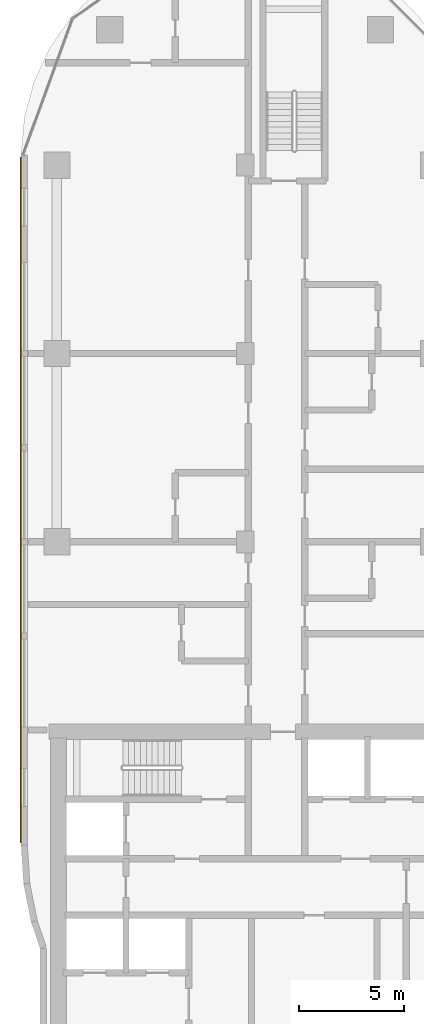
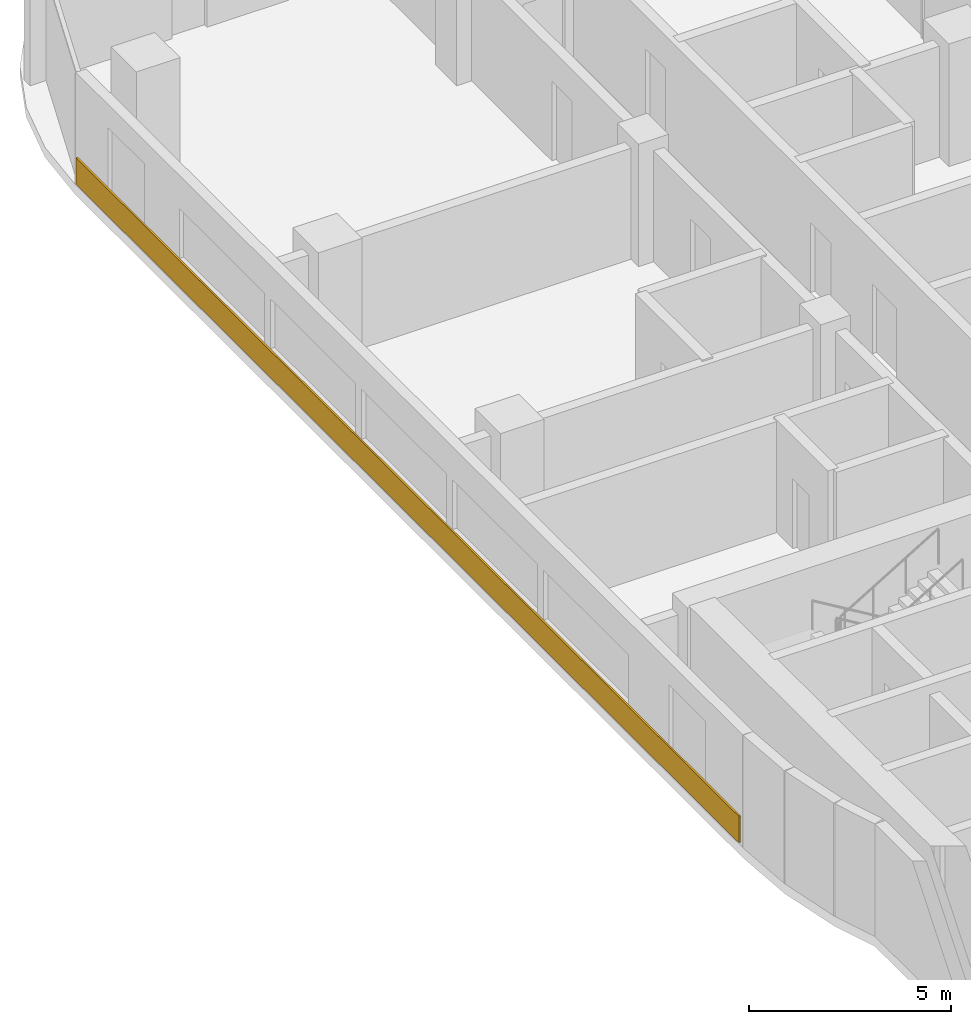
# One storey, part 18 of 22: 1 covering.
"""IFC4 building model written with IfcOpenShell, lengths in metres."""

from ifc_helpers import new_model, si_unit, direction, frame, origin, origin_2d, place, context, subcontext, project, spatial, rectangle, extrude, material, layer, layer_set, type_object, element, save


model = new_model("IFC4")

# Units and contexts
model_context = context("Model", 3, precision=1e-05, world=origin(), true_north=direction((0.0, 1.0)))
body_context = subcontext(model_context, "Body", "Model", "MODEL_VIEW")
ifc_project = project(units=[si_unit("LENGTHUNIT", "METRE"), si_unit("AREAUNIT", "SQUARE_METRE"), si_unit("VOLUMEUNIT", "CUBIC_METRE"), si_unit("PLANEANGLEUNIT", "RADIAN"), si_unit("MASSUNIT", "GRAM", prefix="KILO")], contexts=[model_context])

# Site, building, storey
site_placement = place(None, origin())
site = spatial("IfcSite", under=ifc_project, at=site_placement, CompositionType="ELEMENT")
building_placement = place(site_placement, origin())
building = spatial("IfcBuilding", under=site, at=building_placement, Name="Ogive Portal Towers", CompositionType="ELEMENT")
storey_placement = place(building_placement, frame((0.0, 0.0, 131.5)))
storey = spatial("IfcBuildingStorey", under=building, at=storey_placement, Name="L32", CompositionType="ELEMENT", Elevation=131.5)

# Covering
ifc_material = material(Name="Limestone cladding on lightweight block wall", Category="masonry")
ifc_layer = layer(ifc_material, 0.050048828125)
ifc_layer_set = layer_set([ifc_layer], Name="SCREEN PERFORATED STONE")
covering_type = type_object("IfcCoveringType", Name="SCREEN PERFORATED STONE", PredefinedType="CLADDING", material=ifc_layer_set)
covering_placement = place(storey_placement, frame((29.760009765625, 50.497802734375, 0.10009765625), z_axis=(0.0, 0.0, 1.0), x_axis=(0.0, -1.0, 0.0)))
element("IfcCovering", 1, at=covering_placement, inside=storey, type_object=covering_type, Name="Tracery screen", PredefinedType="CLADDING", context=body_context, shape_type="SweptSolid", body=[
    extrude(rectangle(XDim=32.776123046875, YDim=0.050048828125, at=origin_2d()), origin(), (0.0, 0.0, 1.0), 0.800048828125),
])

save(model, "model.ifc")
